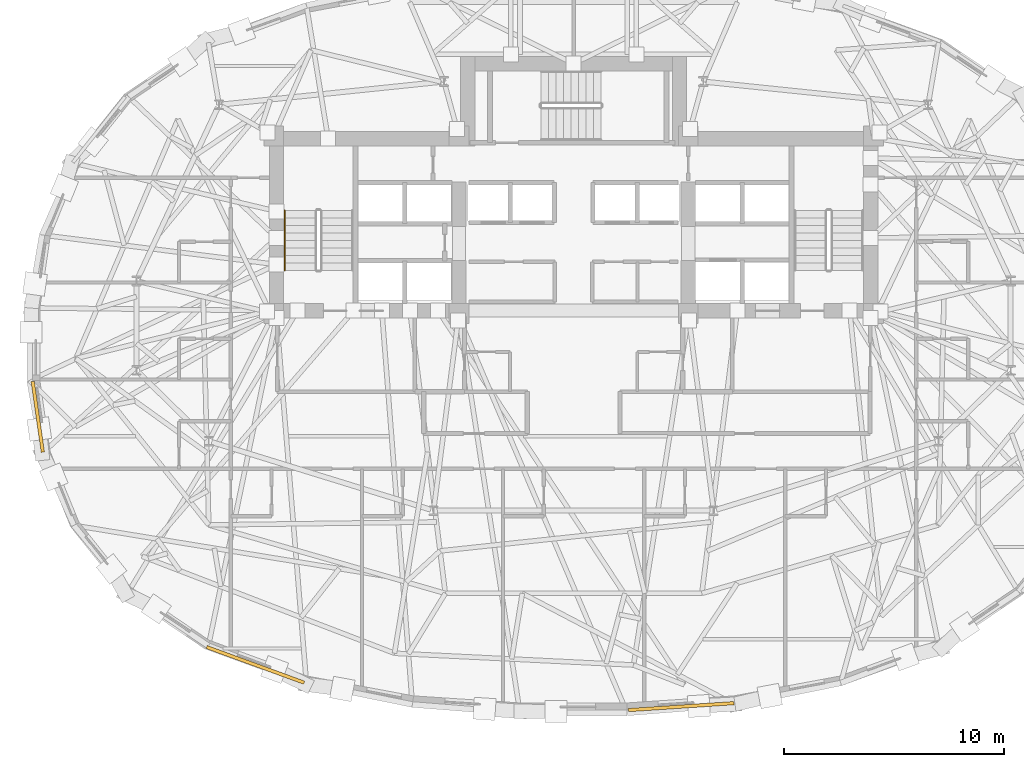
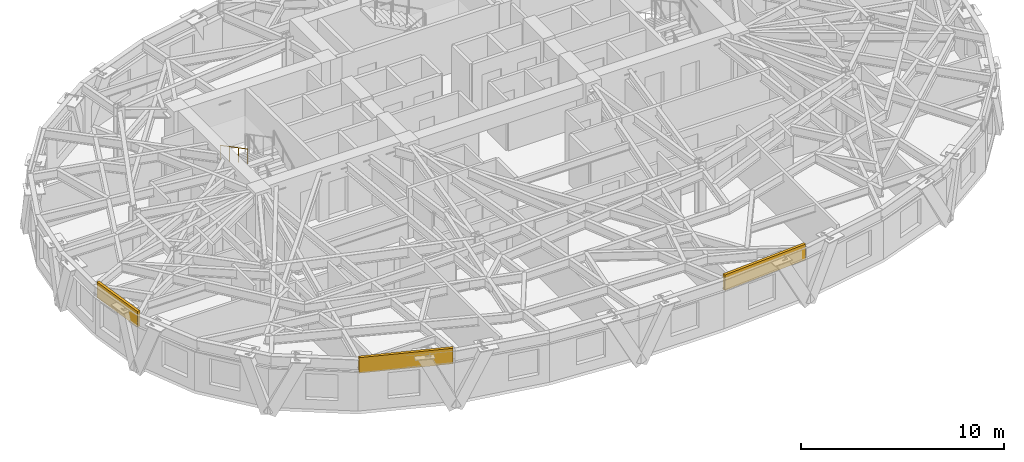
# One storey, part 12 of 15: 3 coverings, 1 railing.
"""IFC4 building model written with IfcOpenShell, lengths in metres."""

from ifc_helpers import new_model, si_unit, direction, frame, origin, origin_2d, place, context, subcontext, project, spatial, rectangle, circle, extrude, material, layer, layer_set, type_object, element, save


model = new_model("IFC4")

# Units and contexts
model_context = context("Model", 3, precision=1e-05, world=origin(), true_north=direction((0.0, 1.0)))
body_context = subcontext(model_context, "Body", "Model", "MODEL_VIEW")
ifc_project = project(units=[si_unit("LENGTHUNIT", "METRE"), si_unit("AREAUNIT", "SQUARE_METRE"), si_unit("VOLUMEUNIT", "CUBIC_METRE"), si_unit("PLANEANGLEUNIT", "RADIAN"), si_unit("MASSUNIT", "GRAM", prefix="KILO")], contexts=[model_context])

# Site, building, storey
site_placement = place(None, origin())
site = spatial("IfcSite", under=ifc_project, at=site_placement, CompositionType="ELEMENT")
building_placement = place(site_placement, origin())
building = spatial("IfcBuilding", under=site, at=building_placement, Name="Keldmark Tower", CompositionType="ELEMENT")
storey_placement = place(building_placement, frame((0.0, 0.0, 147.0)))
storey = spatial("IfcBuildingStorey", under=building, at=storey_placement, Name="L39", CompositionType="ELEMENT", Elevation=147.0)

# Coverings
ifc_material_1 = material(Name="Honed Kasota Buff Dolomitic Limestone", Category="masonry")
ifc_layer = layer(ifc_material_1, 0.074951171875)
ifc_layer_set = layer_set([ifc_layer], Name="Honed Kasota Buff Dolomitic Limestone")
covering_type = type_object("IfcCoveringType", Name="Kasota Buff Limestone Spandrel Cladding Band", PredefinedType="CLADDING", material=ifc_layer_set)
covering_1_placement = place(storey_placement, frame((-24.305908203125, -3.292724609375, 2.239013671875), z_axis=(0.0, 0.0, 1.0), x_axis=(0.142352530482, -0.989816021827, 0.0)))
element("IfcCovering", 1, at=covering_1_placement, inside=storey, type_object=covering_type, Name="L39 Kasota Limestone Spandrel Band 17", PredefinedType="CLADDING", context=body_context, shape_type="SweptSolid", body=[
    extrude(rectangle(XDim=3.2392578125, YDim=0.14990234375, at=origin_2d()), origin(), (0.0, 0.0, 1.0), 0.94091796875),
])
covering_2_placement = place(storey_placement, frame((-14.431884765625, -14.5458984375, 2.239013671875), z_axis=(0.0, 0.0, 1.0), x_axis=(0.939351901311, -0.342954815543, 0.0)))
element("IfcCovering", 2, at=covering_2_placement, inside=storey, type_object=covering_type, Name="L39 Kasota Limestone Spandrel Band 21", PredefinedType="CLADDING", context=body_context, shape_type="SweptSolid", body=[
    extrude(rectangle(XDim=4.70361328125, YDim=0.14990234375, at=origin_2d()), origin(), (0.0, 0.0, 1.0), 0.94091796875),
])
covering_3_placement = place(storey_placement, frame((4.873779296875, -16.439453125, 2.239013671875), z_axis=(0.0, 0.0, 1.0), x_axis=(0.997824541457, 0.065925597951, 0.0)))
element("IfcCovering", 3, at=covering_3_placement, inside=storey, type_object=covering_type, Name="L39 Kasota Limestone Spandrel Band 25", PredefinedType="CLADDING", context=body_context, shape_type="SweptSolid", body=[
    extrude(rectangle(XDim=4.796142578125, YDim=0.14990234375, at=origin_2d()), origin(), (0.0, 0.0, 1.0), 0.94091796875),
])

# Railing
ifc_material_2 = material(Name="Stainless Steel AISI 316L", Category="steel")
railing_type = type_object("IfcRailingType", Name="Stainless Steel Stair Handrail 900 mm", PredefinedType="HANDRAIL", material=ifc_material_2)
railing_placement = place(storey_placement, frame((-13.10009765625, 6.070068359375, 1.77783203125)))
element("IfcRailing", 4, at=railing_placement, inside=storey, type_object=railing_type, Name="L39 ST1 stair handrail 2", PredefinedType="HANDRAIL", context=body_context, shape_type="SweptSolid", body=[
    extrude(circle(Radius=0.02392578125, at=origin_2d()), frame((0.0, 0.0, 0.8759765625), z_axis=(0.0, -0.886183135912, 0.463335137482), x_axis=(1.0, 0.0, 0.0)), (0.0, 0.0, 1.0), 3.0693359375),
    extrude(circle(Radius=0.02099609375, at=origin_2d()), origin(), (0.0, 0.0, 1.0), 0.851806640625),
    extrude(circle(Radius=0.02099609375, at=origin_2d()), frame((0.0, -0.90673828125, 0.47412109375)), (0.0, 0.0, 1.0), 0.851806640625),
    extrude(circle(Radius=0.02099609375, at=origin_2d()), frame((0.0, -1.813232421875, 0.947998046875)), (0.0, 0.0, 1.0), 0.851806640625),
    extrude(circle(Radius=0.02099609375, at=origin_2d()), frame((0.0, -2.719970703125, 1.422119140625)), (0.0, 0.0, 1.0), 0.851806640625),
])

save(model, "model.ifc")
